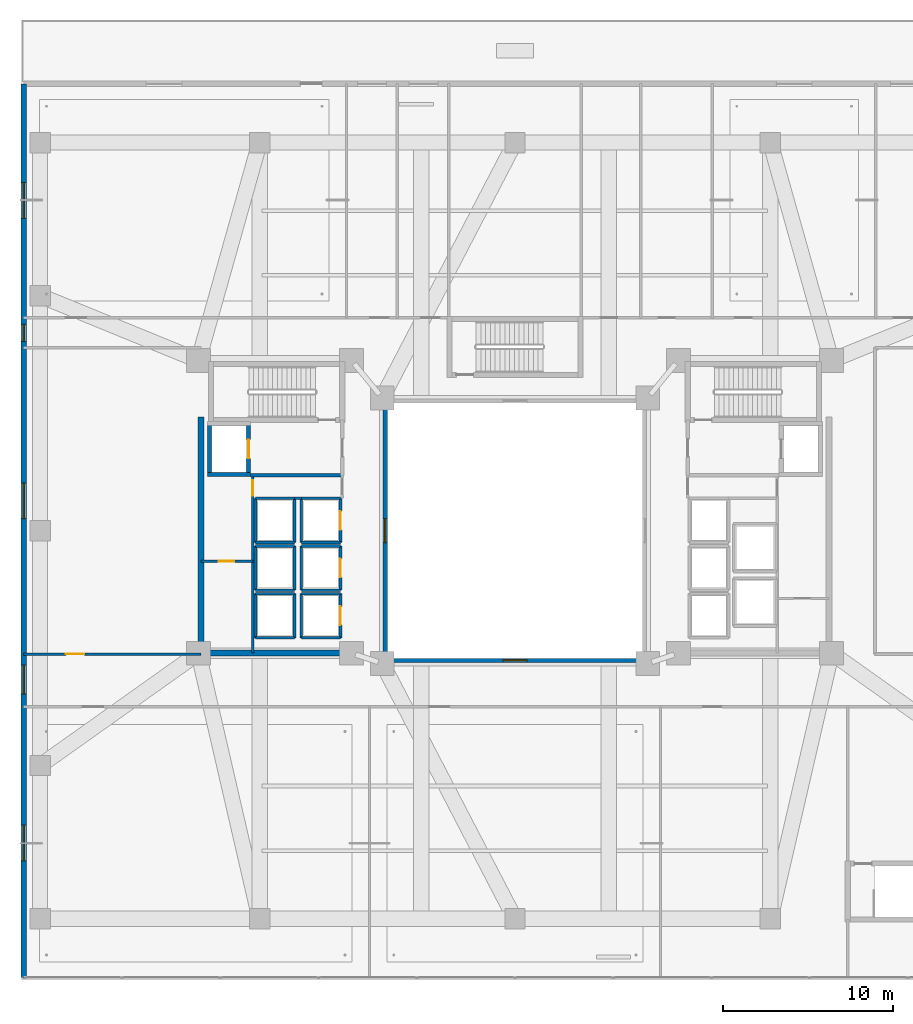
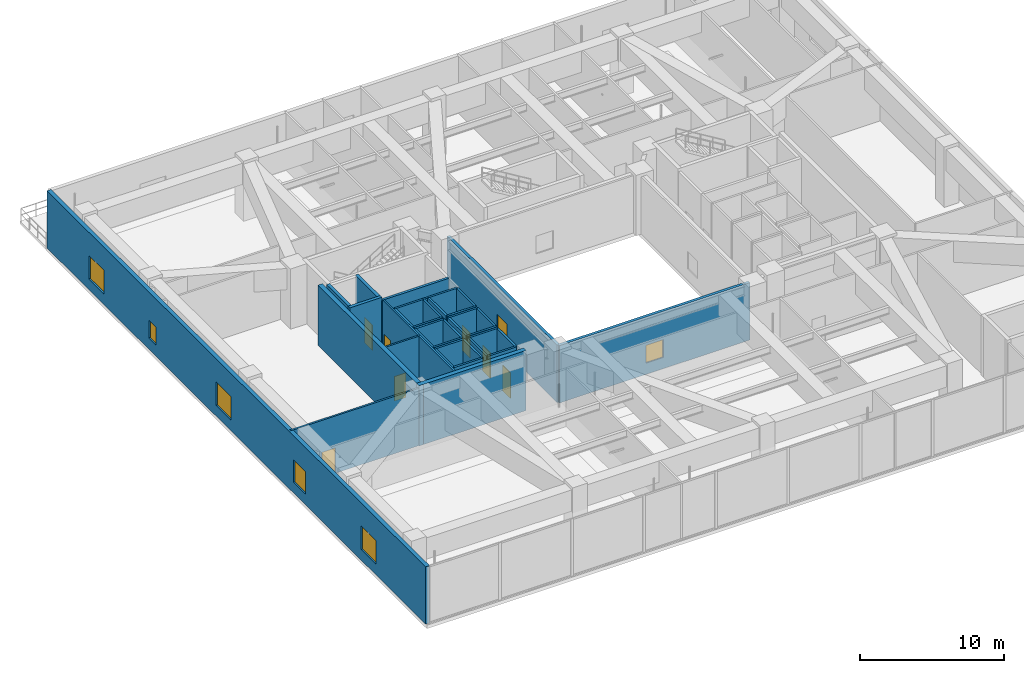
# One storey, part 10 of 21: 37 walls, 7 doors, 7 windows, 14 openings.
"""IFC4 building model written with IfcOpenShell, lengths in metres."""

from ifc_helpers import new_model, si_unit, direction, frame, frame_2d, origin, place, context, subcontext, project, spatial, rectangle, extrude, material, layer, layer_set, type_object, element, fill, save


model = new_model("IFC4")

# Units and contexts
model_context = context("Model", 3, precision=1e-05, world=origin(), true_north=direction((0.0, 1.0)))
body_context = subcontext(model_context, "Body", "Model", "MODEL_VIEW")
ifc_project = project(units=[si_unit("LENGTHUNIT", "METRE"), si_unit("AREAUNIT", "SQUARE_METRE"), si_unit("VOLUMEUNIT", "CUBIC_METRE"), si_unit("PLANEANGLEUNIT", "RADIAN"), si_unit("MASSUNIT", "GRAM", prefix="KILO")], contexts=[model_context])

# Site, building, storey
site_placement = place(None, origin())
site = spatial("IfcSite", under=ifc_project, at=site_placement, CompositionType="ELEMENT")
building_placement = place(site_placement, origin())
building = spatial("IfcBuilding", under=site, at=building_placement, Name="Tarnavaz Court Tower", CompositionType="ELEMENT")
storey_placement = place(building_placement, frame((0.0, 0.0, 18.89990234375)))
storey = spatial("IfcBuildingStorey", under=building, at=storey_placement, Name="L04", CompositionType="ELEMENT", Elevation=18.89990234375)

# Wall
ifc_material_1 = material(Name="Concrete C60/75", Category="concrete")
ifc_layer_1 = layer(ifc_material_1, 0.25)
ifc_layer_set_1 = layer_set([ifc_layer_1], Name="Concrete C60/75")
wall_type_1 = type_object("IfcWallType", Name="WL-CORE-250-C60", PredefinedType="SHEAR", material=ifc_layer_set_1)
wall_1_placement = place(storey_placement, frame((-17.949951171875, 3.175048828125, 0.0), z_axis=(0.0, 0.0, 1.0), x_axis=(0.0, 1.0, 0.0)))
element("IfcWall", 1, at=wall_1_placement, inside=storey, type_object=wall_type_1, Name="L04 Lift FL-W1 Shaft Wall 021", PredefinedType="SHEAR", context=body_context, shape_type="SweptSolid", body=[
    extrude(rectangle(XDim=3.25, YDim=0.25, at=frame_2d((1.625, 0.0))), origin(), (0.0, 0.0, 1.0), 5.10009765625),
])

# Wall, opening, door
wall_2_placement = place(storey_placement, frame((-15.64990234375, 3.175048828125, 0.0), z_axis=(0.0, 0.0, 1.0), x_axis=(0.0, 1.0, 0.0)))
wall_2 = element("IfcWall", 2, at=wall_2_placement, inside=storey, type_object=wall_type_1, Name="L04 Lift FL-W1 Shaft Wall 022", PredefinedType="SHEAR", context=body_context, shape_type="SweptSolid", body=[
    extrude(rectangle(XDim=3.25, YDim=0.25, at=frame_2d((1.625, 0.0))), origin(), (0.0, 0.0, 1.0), 5.10009765625),
])
opening_1_placement = place(wall_2_placement, frame((1.074951171875, 0.0, 0.0)))
opening_1 = element("IfcOpeningElement", 3, at=opening_1_placement, cuts=wall_2, Name="Opening LD1", PredefinedType="OPENING", context=body_context, shape_type="SweptSolid", body=[
    extrude(rectangle(XDim=1.10009765625, YDim=2.14990234375, at=frame_2d((0.550048828125, 1.074951171875))), frame((0.0, 0.135009765625, 0.0), z_axis=(0.0, -1.0, 0.0), x_axis=(1.0, 0.0, 0.0)), (0.0, 0.0, 1.0), 0.27001953125),
])
ifc_material_2 = material(Name="Stainless Steel", Category="steel")
door_type_1 = type_object("IfcDoorType", Name="DR-LD-1100", OperationType="NOTDEFINED", PredefinedType="DOOR", material=ifc_material_2)
door_1_placement = place(opening_1_placement, origin())
door_1 = element("IfcDoor", 4, at=door_1_placement, inside=storey, type_object=door_type_1, Name="L04 Lift Landing Door LD-FL-W1", OperationType="SLIDING_TO_LEFT", OverallHeight=2.14990234375, OverallWidth=1.10009765625, PredefinedType="DOOR", context=body_context, shape_type="SweptSolid", body=[
    extrude(rectangle(XDim=1.10009765625, YDim=2.14990234375, at=frame_2d((0.550048828125, 1.074951171875))), frame((0.0, 0.02490234375, 0.0), z_axis=(0.0, -1.0, 0.0), x_axis=(1.0, 0.0, 0.0)), (0.0, 0.0, 1.0), 0.050048828125),
])
fill(opening_1, door_1)

# Walls
wall_3_placement = place(storey_placement, frame((-18.074951171875, 3.300048828125, 0.0), z_axis=(0.0, 0.0, 1.0), x_axis=(1.0, 0.0, 0.0)))
element("IfcWall", 5, at=wall_3_placement, inside=storey, type_object=wall_type_1, Name="L04 Lift FL-W1 Shaft Wall 023", PredefinedType="SHEAR", context=body_context, shape_type="SweptSolid", body=[
    extrude(rectangle(XDim=2.550048828125, YDim=0.25, at=frame_2d((1.27490234375, 0.0))), origin(), (0.0, 0.0, 1.0), 5.10009765625),
])
ifc_layer_2 = layer(ifc_material_1, 0.35009765625)
ifc_layer_set_2 = layer_set([ifc_layer_2], Name="Concrete C60/75")
wall_type_2 = type_object("IfcWallType", Name="WL-CORE-350-C60", PredefinedType="SHEAR", material=ifc_layer_set_2)
wall_4_placement = place(storey_placement, frame((-18.449951171875, -7.375, 0.0), z_axis=(0.0, 0.0, 1.0), x_axis=(0.0, 1.0, 0.0)))
element("IfcWall", 6, at=wall_4_placement, inside=storey, type_object=wall_type_2, Name="L04 West Core Shear Wall 073", PredefinedType="SHEAR", context=body_context, shape_type="SweptSolid", body=[
    extrude(rectangle(XDim=14.050048828125, YDim=0.35009765625, at=frame_2d((7.02490234375, 0.0))), origin(), (0.0, 0.0, 1.0), 5.10009765625),
])
wall_5_placement = place(storey_placement, frame((-18.625, -7.199951171875, 0.0), z_axis=(0.0, 0.0, 1.0), x_axis=(1.0, 0.0, 0.0)))
element("IfcWall", 7, at=wall_5_placement, inside=storey, type_object=wall_type_2, Name="L04 West Core South Shear Wall 074", PredefinedType="SHEAR", context=body_context, shape_type="SweptSolid", body=[
    extrude(rectangle(XDim=8.550048828125, YDim=0.35009765625, at=frame_2d((4.27490234375, 0.0))), origin(), (0.0, 0.0, 1.0), 5.10009765625),
])

# Wall, openings, windows
ifc_material_3 = material(Name="Precast Concrete C40/50", Category="concrete")
ifc_layer_3 = layer(ifc_material_3, 0.320068359375)
ifc_layer_set_3 = layer_set([ifc_layer_3], Name="Precast Concrete C40/50")
wall_type_3 = type_object("IfcWallType", Name="WL-EXT-320", PredefinedType="SOLIDWALL", material=ifc_layer_set_3)
wall_6_placement = place(storey_placement, frame((-28.85009765625, -26.25, 0.0), z_axis=(0.0, 0.0, 1.0), x_axis=(0.0, 1.0, 0.0)))
wall_6 = element("IfcWall", 8, at=wall_6_placement, inside=storey, type_object=wall_type_3, Name="L04 Exterior Terracotta Facade Wall 04", PredefinedType="SOLIDWALL", context=body_context, shape_type="SweptSolid", body=[
    extrude(rectangle(XDim=52.5, YDim=0.320068359375, at=frame_2d((26.25, 0.0))), origin(), (0.0, 0.0, 1.0), 4.85009765625),
])
opening_2_placement = place(wall_6_placement, frame((6.85009765625, 0.0, 0.89990234375)))
opening_2 = element("IfcOpeningElement", 9, at=opening_2_placement, cuts=wall_6, Name="Opening W09", PredefinedType="OPENING", context=body_context, shape_type="SweptSolid", body=[
    extrude(rectangle(XDim=2.10009765625, YDim=2.0, at=frame_2d((1.050048828125, 1.0))), frame((0.0, 0.169921875, 0.0), z_axis=(0.0, -1.0, 0.0), x_axis=(1.0, 0.0, 0.0)), (0.0, 0.0, 1.0), 0.340087890625),
])
opening_3_placement = place(wall_6_placement, frame((16.642578125, 0.0, 0.89990234375)))
opening_3 = element("IfcOpeningElement", 10, at=opening_3_placement, cuts=wall_6, Name="Opening W10", PredefinedType="OPENING", context=body_context, shape_type="SweptSolid", body=[
    extrude(rectangle(XDim=1.699951171875, YDim=1.89990234375, at=frame_2d((0.85009765625, 0.949951171875))), frame((0.0, 0.169921875, 0.0), z_axis=(0.0, -1.0, 0.0), x_axis=(1.0, 0.0, 0.0)), (0.0, 0.0, 1.0), 0.340087890625),
])
opening_4_placement = place(wall_6_placement, frame((26.949951171875, 0.0, 0.89990234375)))
opening_4 = element("IfcOpeningElement", 11, at=opening_4_placement, cuts=wall_6, Name="Opening W09", PredefinedType="OPENING", context=body_context, shape_type="SweptSolid", body=[
    extrude(rectangle(XDim=2.10009765625, YDim=2.0, at=frame_2d((1.050048828125, 1.0))), frame((0.0, 0.169921875, 0.0), z_axis=(0.0, -1.0, 0.0), x_axis=(1.0, 0.0, 0.0)), (0.0, 0.0, 1.0), 0.340087890625),
])
opening_5_placement = place(wall_6_placement, frame((37.375, 0.0, 0.949951171875)))
opening_5 = element("IfcOpeningElement", 12, at=opening_5_placement, cuts=wall_6, Name="Opening W14", PredefinedType="OPENING", context=body_context, shape_type="SweptSolid", body=[
    extrude(rectangle(XDim=1.0, YDim=1.5, at=frame_2d((0.5, 0.75))), frame((0.0, 0.169921875, 0.0), z_axis=(0.0, -1.0, 0.0), x_axis=(1.0, 0.0, 0.0)), (0.0, 0.0, 1.0), 0.340087890625),
])
opening_6_placement = place(wall_6_placement, frame((44.60009765625, 0.0, 0.89990234375)))
opening_6 = element("IfcOpeningElement", 13, at=opening_6_placement, cuts=wall_6, Name="Opening W09", PredefinedType="OPENING", context=body_context, shape_type="SweptSolid", body=[
    extrude(rectangle(XDim=2.10009765625, YDim=2.0, at=frame_2d((1.050048828125, 1.0))), frame((0.0, 0.169921875, 0.0), z_axis=(0.0, -1.0, 0.0), x_axis=(1.0, 0.0, 0.0)), (0.0, 0.0, 1.0), 0.340087890625),
])
ifc_material_4 = material(Name="Double-Glazed Solar Low-E Glass", Category="glass")
window_type_1 = type_object("IfcWindowType", Name="WN-APT-1000", PartitioningType="SINGLE_PANEL", PredefinedType="WINDOW", material=ifc_material_4)
window_1_placement = place(opening_5_placement, origin())
window_1 = element("IfcWindow", 14, at=window_1_placement, inside=storey, type_object=window_type_1, Name="L04 North-West Wing Corridor Window", OverallHeight=1.5, OverallWidth=1.0, PartitioningType="SINGLE_PANEL", PredefinedType="WINDOW", context=body_context, shape_type="SweptSolid", body=[
    extrude(rectangle(XDim=1.0, YDim=1.5, at=frame_2d((0.5, 0.75))), frame((0.0, 0.030029296875, 0.0), z_axis=(0.0, -1.0, 0.0), x_axis=(1.0, 0.0, 0.0)), (0.0, 0.0, 1.0), 0.06005859375),
])
fill(opening_5, window_1)
window_type_2 = type_object("IfcWindowType", Name="WN-CLN-1700", PartitioningType="DOUBLE_PANEL_VERTICAL", PredefinedType="WINDOW", material=ifc_material_4)
window_2_placement = place(opening_3_placement, origin())
window_2 = element("IfcWindow", 15, at=window_2_placement, inside=storey, type_object=window_type_2, Name="L04 South-West Wing Corridor Window", OverallHeight=1.89990234375, OverallWidth=1.699951171875, PartitioningType="SINGLE_PANEL", PredefinedType="WINDOW", context=body_context, shape_type="SweptSolid", body=[
    extrude(rectangle(XDim=1.699951171875, YDim=1.89990234375, at=frame_2d((0.85009765625, 0.949951171875))), frame((0.0, 0.030029296875, 0.0), z_axis=(0.0, -1.0, 0.0), x_axis=(1.0, 0.0, 0.0)), (0.0, 0.0, 1.0), 0.06005859375),
])
fill(opening_3, window_2)
window_type_3 = type_object("IfcWindowType", Name="WN-CLN-2100", PartitioningType="DOUBLE_PANEL_VERTICAL", PredefinedType="WINDOW", material=ifc_material_4)
window_3_placement = place(opening_2_placement, origin())
window_3 = element("IfcWindow", 16, at=window_3_placement, inside=storey, type_object=window_type_3, Name="L04 L04 West Terrace Waiting Lounge Window", OverallHeight=2.0, OverallWidth=2.10009765625, PartitioningType="SINGLE_PANEL", PredefinedType="WINDOW", context=body_context, shape_type="SweptSolid", body=[
    extrude(rectangle(XDim=2.10009765625, YDim=2.0, at=frame_2d((1.050048828125, 1.0))), frame((0.0, 0.030029296875, 0.0), z_axis=(0.0, -1.0, 0.0), x_axis=(1.0, 0.0, 0.0)), (0.0, 0.0, 1.0), 0.06005859375),
])
fill(opening_2, window_3)
window_4_placement = place(opening_4_placement, origin())
window_4 = element("IfcWindow", 17, at=window_4_placement, inside=storey, type_object=window_type_3, Name="L04 L04 West Chahar-Bagh Clinical Lounge Window", OverallHeight=2.0, OverallWidth=2.10009765625, PartitioningType="SINGLE_PANEL", PredefinedType="WINDOW", context=body_context, shape_type="SweptSolid", body=[
    extrude(rectangle(XDim=2.10009765625, YDim=2.0, at=frame_2d((1.050048828125, 1.0))), frame((0.0, 0.030029296875, 0.0), z_axis=(0.0, -1.0, 0.0), x_axis=(1.0, 0.0, 0.0)), (0.0, 0.0, 1.0), 0.06005859375),
])
fill(opening_4, window_4)
window_5_placement = place(opening_6_placement, origin())
window_5 = element("IfcWindow", 18, at=window_5_placement, inside=storey, type_object=window_type_3, Name="L04 Resident Community Multipurpose Hall Window", OverallHeight=2.0, OverallWidth=2.10009765625, PartitioningType="SINGLE_PANEL", PredefinedType="WINDOW", context=body_context, shape_type="SweptSolid", body=[
    extrude(rectangle(XDim=2.10009765625, YDim=2.0, at=frame_2d((1.050048828125, 1.0))), frame((0.0, 0.030029296875, 0.0), z_axis=(0.0, -1.0, 0.0), x_axis=(1.0, 0.0, 0.0)), (0.0, 0.0, 1.0), 0.06005859375),
])
fill(opening_6, window_5)

# Wall, opening, door
ifc_material_5 = material(Name="Gypsum Fire-Board on Acoustic Metal Stud", Category="masonry")
ifc_layer_4 = layer(ifc_material_5, 0.14990234375)
ifc_layer_set_4 = layer_set([ifc_layer_4], Name="Gypsum Fire-Board on Acoustic Metal Stud")
wall_type_4 = type_object("IfcWallType", Name="WL-FIRE-150", PredefinedType="PARTITIONING", material=ifc_layer_set_4)
wall_7_placement = place(storey_placement, frame((-28.8798828125, -7.25, 0.0), z_axis=(0.0, 0.0, 1.0), x_axis=(1.0, 0.0, 0.0)))
wall_7 = element("IfcWall", 19, at=wall_7_placement, inside=storey, type_object=wall_type_4, Name="L04 Interior Partition 103", PredefinedType="PARTITIONING", context=body_context, shape_type="SweptSolid", body=[
    extrude(rectangle(XDim=10.429931640625, YDim=0.14990234375, at=frame_2d((5.21484375, 0.0))), origin(), (0.0, 0.0, 1.0), 4.85009765625),
])
opening_7_placement = place(wall_7_placement, frame((2.5, 0.0, 0.0)))
opening_7 = element("IfcOpeningElement", 20, at=opening_7_placement, cuts=wall_7, Name="Opening D12", PredefinedType="OPENING", context=body_context, shape_type="SweptSolid", body=[
    extrude(rectangle(XDim=1.080078125, YDim=2.14990234375, at=frame_2d((0.5400390625, 1.074951171875))), frame((0.0, 0.0849609375, 0.0), z_axis=(0.0, -1.0, 0.0), x_axis=(1.0, 0.0, 0.0)), (0.0, 0.0, 1.0), 0.169921875),
])
ifc_material_6 = material(Name="Engineered Oak Timber", Category="wood")
door_type_2 = type_object("IfcDoorType", Name="DR-INT-1100", OperationType="NOTDEFINED", PredefinedType="DOOR", material=ifc_material_6)
door_2_placement = place(opening_7_placement, origin())
door_2 = element("IfcDoor", 21, at=door_2_placement, inside=storey, type_object=door_type_2, Name="L04 West Clinical Lounge Door", OperationType="SINGLE_SWING_LEFT", OverallHeight=2.14990234375, OverallWidth=1.080078125, PredefinedType="DOOR", context=body_context, shape_type="SweptSolid", body=[
    extrude(rectangle(XDim=1.080078125, YDim=2.14990234375, at=frame_2d((0.5400390625, 1.074951171875))), frame((0.0, 0.02490234375, 0.0), z_axis=(0.0, -1.0, 0.0), x_axis=(1.0, 0.0, 0.0)), (0.0, 0.0, 1.0), 0.050048828125),
])
fill(opening_7, door_2)

# Walls
ifc_material_7 = material(Name="Autoclaved Aerated Concrete Blockwork", Category="masonry")
ifc_layer_5 = layer(ifc_material_7, 0.199951171875)
ifc_layer_set_5 = layer_set([ifc_layer_5], Name="Autoclaved Aerated Concrete Blockwork")
wall_type_5 = type_object("IfcWallType", Name="WL-FIRE-200", PredefinedType="SOLIDWALL", material=ifc_layer_set_5)
wall_8_placement = place(storey_placement, frame((-15.550048828125, 3.25, 0.0), z_axis=(0.0, 0.0, 1.0), x_axis=(1.0, 0.0, 0.0)))
element("IfcWall", 22, at=wall_8_placement, inside=storey, type_object=wall_type_5, Name="L04 West Firefighting Lobby Wall 017", PredefinedType="SOLIDWALL", context=body_context, shape_type="SweptSolid", body=[
    extrude(rectangle(XDim=5.400146484375, YDim=0.199951171875, at=frame_2d((2.7001953125, 0.0))), origin(), (0.0, 0.0, 1.0), 4.85009765625),
])
ifc_material_8 = material(Name="Gypsum Plasterboard Acoustic Partition", Category="masonry")
ifc_layer_6 = layer(ifc_material_8, 0.139892578125)
ifc_layer_set_6 = layer_set([ifc_layer_6], Name="Gypsum Plasterboard Acoustic Partition")
wall_type_6 = type_object("IfcWallType", Name="WL-PART-150", PredefinedType="PARTITIONING", material=ifc_layer_set_6)
wall_9_placement = place(storey_placement, frame((-12.949951171875, 1.89990234375, 0.0), z_axis=(0.0, 0.0, 1.0), x_axis=(1.0, 0.0, 0.0)))
element("IfcWall", 23, at=wall_9_placement, inside=storey, type_object=wall_type_6, Name="L04 Interior Partition 077", PredefinedType="PARTITIONING", context=body_context, shape_type="SweptSolid", body=[
    extrude(rectangle(XDim=0.39990234375, YDim=0.139892578125, at=frame_2d((0.199951171875, 0.0))), origin(), (0.0, 0.0, 1.0), 4.85009765625),
])

# Wall, opening, door
wall_10_placement = place(storey_placement, frame((-15.39990234375, -7.199951171875, 0.0), z_axis=(0.0, 0.0, 1.0), x_axis=(0.0, 1.0, 0.0)))
wall_10 = element("IfcWall", 24, at=wall_10_placement, inside=storey, type_object=wall_type_6, Name="L04 Interior Partition 079", PredefinedType="PARTITIONING", context=body_context, shape_type="SweptSolid", body=[
    extrude(rectangle(XDim=10.449951171875, YDim=0.139892578125, at=frame_2d((5.22509765625, 0.0))), origin(), (0.0, 0.0, 1.0), 4.85009765625),
])
opening_8_placement = place(wall_10_placement, frame((9.25, 0.0, 0.0)))
opening_8 = element("IfcOpeningElement", 25, at=opening_8_placement, cuts=wall_10, Name="Opening D09", PredefinedType="OPENING", context=body_context, shape_type="SweptSolid", body=[
    extrude(rectangle(XDim=0.89990234375, YDim=2.080078125, at=frame_2d((0.449951171875, 1.0400390625))), frame((0.0, 0.079833984375, 0.0), z_axis=(0.0, -1.0, 0.0), x_axis=(1.0, 0.0, 0.0)), (0.0, 0.0, 1.0), 0.159912109375),
])
ifc_material_9 = material(Name="Fire-Rated Hardwood Timber Core", Category="wood")
door_type_3 = type_object("IfcDoorType", Name="DR-FD30-900", OperationType="NOTDEFINED", PredefinedType="DOOR", material=ifc_material_9)
door_3_placement = place(opening_8_placement, origin())
door_3 = element("IfcDoor", 26, at=door_3_placement, inside=storey, type_object=door_type_3, Name="L04 West Telecom Room Door", OperationType="SINGLE_SWING_LEFT", OverallHeight=2.080078125, OverallWidth=0.89990234375, PredefinedType="DOOR", context=body_context, shape_type="SweptSolid", body=[
    extrude(rectangle(XDim=0.89990234375, YDim=2.080078125, at=frame_2d((0.449951171875, 1.0400390625))), frame((0.0, 0.02490234375, 0.0), z_axis=(0.0, -1.0, 0.0), x_axis=(1.0, 0.0, 0.0)), (0.0, 0.0, 1.0), 0.050048828125),
])
fill(opening_8, door_3)

wall_11_placement = place(storey_placement, frame((-18.449951171875, -1.800048828125, 0.0), z_axis=(0.0, 0.0, 1.0), x_axis=(1.0, 0.0, 0.0)))
wall_11 = element("IfcWall", 27, at=wall_11_placement, inside=storey, type_object=wall_type_6, Name="L04 Interior Partition 080", PredefinedType="PARTITIONING", context=body_context, shape_type="SweptSolid", body=[
    extrude(rectangle(XDim=3.050048828125, YDim=0.139892578125, at=frame_2d((1.52490234375, 0.0))), origin(), (0.0, 0.0, 1.0), 4.85009765625),
])
opening_9_placement = place(wall_11_placement, frame((1.050048828125, 0.0, 0.0)))
opening_9 = element("IfcOpeningElement", 28, at=opening_9_placement, cuts=wall_11, Name="Opening D09", PredefinedType="OPENING", context=body_context, shape_type="SweptSolid", body=[
    extrude(rectangle(XDim=0.89990234375, YDim=2.080078125, at=frame_2d((0.449951171875, 1.0400390625))), frame((0.0, 0.079833984375, 0.0), z_axis=(0.0, -1.0, 0.0), x_axis=(1.0, 0.0, 0.0)), (0.0, 0.0, 1.0), 0.159912109375),
])
door_4_placement = place(opening_9_placement, origin())
door_4 = element("IfcDoor", 29, at=door_4_placement, inside=storey, type_object=door_type_3, Name="L04 West Electrical Room Door", OperationType="SINGLE_SWING_RIGHT", OverallHeight=2.080078125, OverallWidth=0.89990234375, PredefinedType="DOOR", context=body_context, shape_type="SweptSolid", body=[
    extrude(rectangle(XDim=0.89990234375, YDim=2.080078125, at=frame_2d((0.449951171875, 1.0400390625))), frame((0.0, 0.02490234375, 0.0), z_axis=(0.0, -1.0, 0.0), x_axis=(1.0, 0.0, 0.0)), (0.0, 0.0, 1.0), 0.050048828125),
])
fill(opening_9, door_4)

# Wall
ifc_layer_7 = layer(ifc_material_7, 0.159912109375)
ifc_layer_set_7 = layer_set([ifc_layer_7], Name="Autoclaved Aerated Concrete Blockwork")
wall_type_7 = type_object("IfcWallType", Name="WL-SHAFT-150", PredefinedType="SOLIDWALL", material=ifc_layer_set_7)
wall_12_placement = place(storey_placement, frame((-12.550048828125, -6.300048828125, 0.0), z_axis=(0.0, 0.0, 1.0), x_axis=(0.0, 1.0, 0.0)))
element("IfcWall", 30, at=wall_12_placement, inside=storey, type_object=wall_type_7, Name="L04 Lift PL-L1 Shaft Wall 025", PredefinedType="SOLIDWALL", context=body_context, shape_type="SweptSolid", body=[
    extrude(rectangle(XDim=2.60009765625, YDim=0.159912109375, at=frame_2d((1.300048828125, 0.0))), origin(), (0.0, 0.0, 1.0), 4.85009765625),
])

# Wall, opening, door
wall_13_placement = place(storey_placement, frame((-10.25, -6.300048828125, 0.0), z_axis=(0.0, 0.0, 1.0), x_axis=(0.0, 1.0, 0.0)))
wall_13 = element("IfcWall", 31, at=wall_13_placement, inside=storey, type_object=wall_type_7, Name="L04 Lift PL-L1 Shaft Wall 026", PredefinedType="SOLIDWALL", context=body_context, shape_type="SweptSolid", body=[
    extrude(rectangle(XDim=2.60009765625, YDim=0.159912109375, at=frame_2d((1.300048828125, 0.0))), origin(), (0.0, 0.0, 1.0), 4.85009765625),
])
opening_10_placement = place(wall_13_placement, frame((0.75, 0.0, 0.0)))
opening_10 = element("IfcOpeningElement", 32, at=opening_10_placement, cuts=wall_13, Name="Opening LD1", PredefinedType="OPENING", context=body_context, shape_type="SweptSolid", body=[
    extrude(rectangle(XDim=1.10009765625, YDim=2.14990234375, at=frame_2d((0.550048828125, 1.074951171875))), frame((0.0, 0.08984375, 0.0), z_axis=(0.0, -1.0, 0.0), x_axis=(1.0, 0.0, 0.0)), (0.0, 0.0, 1.0), 0.179931640625),
])
door_5_placement = place(opening_10_placement, origin())
door_5 = element("IfcDoor", 33, at=door_5_placement, inside=storey, type_object=door_type_1, Name="L04 Lift Landing Door LD-PL-L1", OperationType="SLIDING_TO_LEFT", OverallHeight=2.14990234375, OverallWidth=1.10009765625, PredefinedType="DOOR", context=body_context, shape_type="SweptSolid", body=[
    extrude(rectangle(XDim=1.10009765625, YDim=2.14990234375, at=frame_2d((0.550048828125, 1.074951171875))), frame((0.0, 0.02490234375, 0.0), z_axis=(0.0, -1.0, 0.0), x_axis=(1.0, 0.0, 0.0)), (0.0, 0.0, 1.0), 0.050048828125),
])
fill(opening_10, door_5)

# Walls
for number, where, z_axis, x_axis, name in (
    (34, (-12.550048828125, -6.300048828125, 0.0), (0.0, 0.0, 1.0), (1.0, 0.0, 0.0), "L04 Lift PL-L1 Shaft Wall 027"),
    (35, (-12.550048828125, -3.699951171875, 0.0), (0.0, 0.0, 1.0), (1.0, 0.0, 0.0), "L04 Lift PL-L1 Shaft Wall 028"),
):
    element("IfcWall", number, at=place(storey_placement, frame(where, z_axis=z_axis, x_axis=x_axis)), inside=storey, type_object=wall_type_7, Name=name, PredefinedType="SOLIDWALL", context=body_context, shape_type="SweptSolid", body=[
        extrude(rectangle(XDim=2.300048828125, YDim=0.159912109375, at=frame_2d((1.14990234375, 0.0))), origin(), (0.0, 0.0, 1.0), 4.85009765625),
    ])
wall_14_placement = place(storey_placement, frame((-12.550048828125, -3.5, 0.0), z_axis=(0.0, 0.0, 1.0), x_axis=(0.0, 1.0, 0.0)))
element("IfcWall", 36, at=wall_14_placement, inside=storey, type_object=wall_type_7, Name="L04 Lift PL-L2 Shaft Wall 029", PredefinedType="SOLIDWALL", context=body_context, shape_type="SweptSolid", body=[
    extrude(rectangle(XDim=2.60009765625, YDim=0.159912109375, at=frame_2d((1.300048828125, 0.0))), origin(), (0.0, 0.0, 1.0), 4.85009765625),
])

# Wall, opening, door
wall_15_placement = place(storey_placement, frame((-10.25, -3.5, 0.0), z_axis=(0.0, 0.0, 1.0), x_axis=(0.0, 1.0, 0.0)))
wall_15 = element("IfcWall", 37, at=wall_15_placement, inside=storey, type_object=wall_type_7, Name="L04 Lift PL-L2 Shaft Wall 030", PredefinedType="SOLIDWALL", context=body_context, shape_type="SweptSolid", body=[
    extrude(rectangle(XDim=2.60009765625, YDim=0.159912109375, at=frame_2d((1.300048828125, 0.0))), origin(), (0.0, 0.0, 1.0), 4.85009765625),
])
opening_11_placement = place(wall_15_placement, frame((0.75, 0.0, 0.0)))
opening_11 = element("IfcOpeningElement", 38, at=opening_11_placement, cuts=wall_15, Name="Opening LD1", PredefinedType="OPENING", context=body_context, shape_type="SweptSolid", body=[
    extrude(rectangle(XDim=1.10009765625, YDim=2.14990234375, at=frame_2d((0.550048828125, 1.074951171875))), frame((0.0, 0.08984375, 0.0), z_axis=(0.0, -1.0, 0.0), x_axis=(1.0, 0.0, 0.0)), (0.0, 0.0, 1.0), 0.179931640625),
])
door_6_placement = place(opening_11_placement, origin())
door_6 = element("IfcDoor", 39, at=door_6_placement, inside=storey, type_object=door_type_1, Name="L04 Lift Landing Door LD-PL-L2", OperationType="SLIDING_TO_LEFT", OverallHeight=2.14990234375, OverallWidth=1.10009765625, PredefinedType="DOOR", context=body_context, shape_type="SweptSolid", body=[
    extrude(rectangle(XDim=1.10009765625, YDim=2.14990234375, at=frame_2d((0.550048828125, 1.074951171875))), frame((0.0, 0.02490234375, 0.0), z_axis=(0.0, -1.0, 0.0), x_axis=(1.0, 0.0, 0.0)), (0.0, 0.0, 1.0), 0.050048828125),
])
fill(opening_11, door_6)

# Walls
for number, where, z_axis, x_axis, name in (
    (40, (-12.550048828125, -3.5, 0.0), (0.0, 0.0, 1.0), (1.0, 0.0, 0.0), "L04 Lift PL-L2 Shaft Wall 031"),
    (41, (-12.550048828125, -0.89990234375, 0.0), (0.0, 0.0, 1.0), (1.0, 0.0, 0.0), "L04 Lift PL-L2 Shaft Wall 032"),
):
    element("IfcWall", number, at=place(storey_placement, frame(where, z_axis=z_axis, x_axis=x_axis)), inside=storey, type_object=wall_type_7, Name=name, PredefinedType="SOLIDWALL", context=body_context, shape_type="SweptSolid", body=[
        extrude(rectangle(XDim=2.300048828125, YDim=0.159912109375, at=frame_2d((1.14990234375, 0.0))), origin(), (0.0, 0.0, 1.0), 4.85009765625),
    ])
wall_16_placement = place(storey_placement, frame((-12.550048828125, -0.699951171875, 0.0), z_axis=(0.0, 0.0, 1.0), x_axis=(0.0, 1.0, 0.0)))
element("IfcWall", 42, at=wall_16_placement, inside=storey, type_object=wall_type_7, Name="L04 Lift PL-L3 Shaft Wall 033", PredefinedType="SOLIDWALL", context=body_context, shape_type="SweptSolid", body=[
    extrude(rectangle(XDim=2.599853515625, YDim=0.159912109375, at=frame_2d((1.2998046875, 0.0))), origin(), (0.0, 0.0, 1.0), 4.85009765625),
])

# Wall, opening, door
wall_17_placement = place(storey_placement, frame((-10.25, -0.699951171875, 0.0), z_axis=(0.0, 0.0, 1.0), x_axis=(0.0, 1.0, 0.0)))
wall_17 = element("IfcWall", 43, at=wall_17_placement, inside=storey, type_object=wall_type_7, Name="L04 Lift PL-L3 Shaft Wall 034", PredefinedType="SOLIDWALL", context=body_context, shape_type="SweptSolid", body=[
    extrude(rectangle(XDim=2.599853515625, YDim=0.159912109375, at=frame_2d((1.2998046875, 0.0))), origin(), (0.0, 0.0, 1.0), 4.85009765625),
])
opening_12_placement = place(wall_17_placement, frame((0.75, 0.0, 0.0)))
opening_12 = element("IfcOpeningElement", 44, at=opening_12_placement, cuts=wall_17, Name="Opening LD1", PredefinedType="OPENING", context=body_context, shape_type="SweptSolid", body=[
    extrude(rectangle(XDim=1.10009765625, YDim=2.14990234375, at=frame_2d((0.550048828125, 1.074951171875))), frame((0.0, 0.08984375, 0.0), z_axis=(0.0, -1.0, 0.0), x_axis=(1.0, 0.0, 0.0)), (0.0, 0.0, 1.0), 0.179931640625),
])
door_7_placement = place(opening_12_placement, origin())
door_7 = element("IfcDoor", 45, at=door_7_placement, inside=storey, type_object=door_type_1, Name="L04 Lift Landing Door LD-PL-L3", OperationType="SLIDING_TO_LEFT", OverallHeight=2.14990234375, OverallWidth=1.10009765625, PredefinedType="DOOR", context=body_context, shape_type="SweptSolid", body=[
    extrude(rectangle(XDim=1.10009765625, YDim=2.14990234375, at=frame_2d((0.550048828125, 1.074951171875))), frame((0.0, 0.02490234375, 0.0), z_axis=(0.0, -1.0, 0.0), x_axis=(1.0, 0.0, 0.0)), (0.0, 0.0, 1.0), 0.050048828125),
])
fill(opening_12, door_7)

# Walls
for number, where, z_axis, x_axis, name in (
    (46, (-12.550048828125, -0.699951171875, 0.0), (0.0, 0.0, 1.0), (1.0, 0.0, 0.0), "L04 Lift PL-L3 Shaft Wall 035"),
    (47, (-12.550048828125, 1.89990234375, 0.0), (0.0, 0.0, 1.0), (1.0, 0.0, 0.0), "L04 Lift PL-L3 Shaft Wall 036"),
):
    element("IfcWall", number, at=place(storey_placement, frame(where, z_axis=z_axis, x_axis=x_axis)), inside=storey, type_object=wall_type_7, Name=name, PredefinedType="SOLIDWALL", context=body_context, shape_type="SweptSolid", body=[
        extrude(rectangle(XDim=2.300048828125, YDim=0.159912109375, at=frame_2d((1.14990234375, 0.0))), origin(), (0.0, 0.0, 1.0), 4.85009765625),
    ])
for number, where, z_axis, x_axis, name in (
    (48, (-15.25, -6.300048828125, 0.0), (0.0, 0.0, 1.0), (0.0, 1.0, 0.0), "L04 Lift PL-H1 Shaft Wall 037"),
    (49, (-12.949951171875, -6.300048828125, 0.0), (0.0, 0.0, 1.0), (0.0, 1.0, 0.0), "L04 Lift PL-H1 Shaft Wall 038"),
):
    element("IfcWall", number, at=place(storey_placement, frame(where, z_axis=z_axis, x_axis=x_axis)), inside=storey, type_object=wall_type_7, Name=name, PredefinedType="SOLIDWALL", context=body_context, shape_type="SweptSolid", body=[
        extrude(rectangle(XDim=2.60009765625, YDim=0.159912109375, at=frame_2d((1.300048828125, 0.0))), origin(), (0.0, 0.0, 1.0), 4.85009765625),
    ])
for number, where, z_axis, x_axis, name in (
    (50, (-15.25, -6.300048828125, 0.0), (0.0, 0.0, 1.0), (1.0, 0.0, 0.0), "L04 Lift PL-H1 Shaft Wall 039"),
    (51, (-15.25, -3.699951171875, 0.0), (0.0, 0.0, 1.0), (1.0, 0.0, 0.0), "L04 Lift PL-H1 Shaft Wall 040"),
):
    element("IfcWall", number, at=place(storey_placement, frame(where, z_axis=z_axis, x_axis=x_axis)), inside=storey, type_object=wall_type_7, Name=name, PredefinedType="SOLIDWALL", context=body_context, shape_type="SweptSolid", body=[
        extrude(rectangle(XDim=2.300048828125, YDim=0.159912109375, at=frame_2d((1.14990234375, 0.0))), origin(), (0.0, 0.0, 1.0), 4.85009765625),
    ])
for number, where, z_axis, x_axis, name in (
    (52, (-15.25, -3.5, 0.0), (0.0, 0.0, 1.0), (0.0, 1.0, 0.0), "L04 Lift PL-H2 Shaft Wall 041"),
    (53, (-12.949951171875, -3.5, 0.0), (0.0, 0.0, 1.0), (0.0, 1.0, 0.0), "L04 Lift PL-H2 Shaft Wall 042"),
):
    element("IfcWall", number, at=place(storey_placement, frame(where, z_axis=z_axis, x_axis=x_axis)), inside=storey, type_object=wall_type_7, Name=name, PredefinedType="SOLIDWALL", context=body_context, shape_type="SweptSolid", body=[
        extrude(rectangle(XDim=2.60009765625, YDim=0.159912109375, at=frame_2d((1.300048828125, 0.0))), origin(), (0.0, 0.0, 1.0), 4.85009765625),
    ])
for number, where, z_axis, x_axis, name in (
    (54, (-15.25, -3.5, 0.0), (0.0, 0.0, 1.0), (1.0, 0.0, 0.0), "L04 Lift PL-H2 Shaft Wall 043"),
    (55, (-15.25, -0.89990234375, 0.0), (0.0, 0.0, 1.0), (1.0, 0.0, 0.0), "L04 Lift PL-H2 Shaft Wall 044"),
):
    element("IfcWall", number, at=place(storey_placement, frame(where, z_axis=z_axis, x_axis=x_axis)), inside=storey, type_object=wall_type_7, Name=name, PredefinedType="SOLIDWALL", context=body_context, shape_type="SweptSolid", body=[
        extrude(rectangle(XDim=2.300048828125, YDim=0.159912109375, at=frame_2d((1.14990234375, 0.0))), origin(), (0.0, 0.0, 1.0), 4.85009765625),
    ])
for number, where, z_axis, x_axis, name in (
    (56, (-15.25, -0.699951171875, 0.0), (0.0, 0.0, 1.0), (0.0, 1.0, 0.0), "L04 Lift PL-H3 Shaft Wall 045"),
    (57, (-12.949951171875, -0.699951171875, 0.0), (0.0, 0.0, 1.0), (0.0, 1.0, 0.0), "L04 Lift PL-H3 Shaft Wall 046"),
):
    element("IfcWall", number, at=place(storey_placement, frame(where, z_axis=z_axis, x_axis=x_axis)), inside=storey, type_object=wall_type_7, Name=name, PredefinedType="SOLIDWALL", context=body_context, shape_type="SweptSolid", body=[
        extrude(rectangle(XDim=2.599853515625, YDim=0.159912109375, at=frame_2d((1.2998046875, 0.0))), origin(), (0.0, 0.0, 1.0), 4.85009765625),
    ])
for number, where, z_axis, x_axis, name in (
    (58, (-15.25, -0.699951171875, 0.0), (0.0, 0.0, 1.0), (1.0, 0.0, 0.0), "L04 Lift PL-H3 Shaft Wall 047"),
    (59, (-15.25, 1.89990234375, 0.0), (0.0, 0.0, 1.0), (1.0, 0.0, 0.0), "L04 Lift PL-H3 Shaft Wall 048"),
):
    element("IfcWall", number, at=place(storey_placement, frame(where, z_axis=z_axis, x_axis=x_axis)), inside=storey, type_object=wall_type_7, Name=name, PredefinedType="SOLIDWALL", context=body_context, shape_type="SweptSolid", body=[
        extrude(rectangle(XDim=2.300048828125, YDim=0.159912109375, at=frame_2d((1.14990234375, 0.0))), origin(), (0.0, 0.0, 1.0), 4.85009765625),
    ])

# Wall, opening, window
ifc_layer_8 = layer(ifc_material_3, 0.239990234375)
ifc_layer_set_8 = layer_set([ifc_layer_8], Name="Precast Concrete C40/50")
wall_type_8 = type_object("IfcWallType", Name="WL-WELL-240", PredefinedType="SOLIDWALL", material=ifc_layer_set_8)
wall_18_placement = place(storey_placement, frame((-7.6201171875, -7.6201171875, 0.0), z_axis=(0.0, 0.0, 1.0), x_axis=(1.0, 0.0, 0.0)))
wall_18 = element("IfcWall", 60, at=wall_18_placement, inside=storey, type_object=wall_type_8, Name="L04 Badgir Light-Well Exterior Wall S", PredefinedType="SOLIDWALL", context=body_context, shape_type="SweptSolid", body=[
    extrude(rectangle(XDim=15.240234375, YDim=0.239990234375, at=frame_2d((7.6201171875, 0.0))), origin(), (0.0, 0.0, 1.0), 4.85009765625),
])
opening_13_placement = place(wall_18_placement, frame((6.919921875, 0.0, 0.949951171875)))
opening_13 = element("IfcOpeningElement", 61, at=opening_13_placement, cuts=wall_18, Name="Opening W13", PredefinedType="OPENING", context=body_context, shape_type="SweptSolid", body=[
    extrude(rectangle(XDim=1.39990234375, YDim=1.5, at=frame_2d((0.699951171875, 0.75))), frame((0.0, 0.1298828125, 0.0), z_axis=(0.0, -1.0, 0.0), x_axis=(1.0, 0.0, 0.0)), (0.0, 0.0, 1.0), 0.260009765625),
])
window_type_4 = type_object("IfcWindowType", Name="WN-WEL-1400", PartitioningType="SINGLE_PANEL", PredefinedType="WINDOW", material=ifc_material_4)
window_6_placement = place(opening_13_placement, origin())
window_6 = element("IfcWindow", 62, at=window_6_placement, inside=storey, type_object=window_type_4, Name="L04 Courtyard Gallery Window S", OverallHeight=1.5, OverallWidth=1.39990234375, PartitioningType="SINGLE_PANEL", PredefinedType="WINDOW", context=body_context, shape_type="SweptSolid", body=[
    extrude(rectangle(XDim=1.39990234375, YDim=1.5, at=frame_2d((0.699951171875, 0.75))), frame((0.0, 0.030029296875, 0.0), z_axis=(0.0, -1.0, 0.0), x_axis=(1.0, 0.0, 0.0)), (0.0, 0.0, 1.0), 0.06005859375),
])
fill(opening_13, window_6)

wall_19_placement = place(storey_placement, frame((-7.6201171875, 7.6201171875, 0.0), z_axis=(0.0, 0.0, 1.0), x_axis=(0.0, -1.0, 0.0)))
wall_19 = element("IfcWall", 63, at=wall_19_placement, inside=storey, type_object=wall_type_8, Name="L04 Badgir Light-Well Exterior Wall W", PredefinedType="SOLIDWALL", context=body_context, shape_type="SweptSolid", body=[
    extrude(rectangle(XDim=15.240234375, YDim=0.239990234375, at=frame_2d((7.6201171875, 0.0))), origin(), (0.0, 0.0, 1.0), 4.85009765625),
])
opening_14_placement = place(wall_19_placement, frame((6.919921875, 0.0, 0.949951171875)))
opening_14 = element("IfcOpeningElement", 64, at=opening_14_placement, cuts=wall_19, Name="Opening W13", PredefinedType="OPENING", context=body_context, shape_type="SweptSolid", body=[
    extrude(rectangle(XDim=1.39990234375, YDim=1.5, at=frame_2d((0.699951171875, 0.75))), frame((0.0, 0.1298828125, 0.0), z_axis=(0.0, -1.0, 0.0), x_axis=(1.0, 0.0, 0.0)), (0.0, 0.0, 1.0), 0.260009765625),
])
window_7_placement = place(opening_14_placement, origin())
window_7 = element("IfcWindow", 65, at=window_7_placement, inside=storey, type_object=window_type_4, Name="L04 Courtyard Gallery Window W", OverallHeight=1.5, OverallWidth=1.39990234375, PartitioningType="SINGLE_PANEL", PredefinedType="WINDOW", context=body_context, shape_type="SweptSolid", body=[
    extrude(rectangle(XDim=1.39990234375, YDim=1.5, at=frame_2d((0.699951171875, 0.75))), frame((0.0, 0.030029296875, 0.0), z_axis=(0.0, -1.0, 0.0), x_axis=(1.0, 0.0, 0.0)), (0.0, 0.0, 1.0), 0.06005859375),
])
fill(opening_14, window_7)

save(model, "model.ifc")
